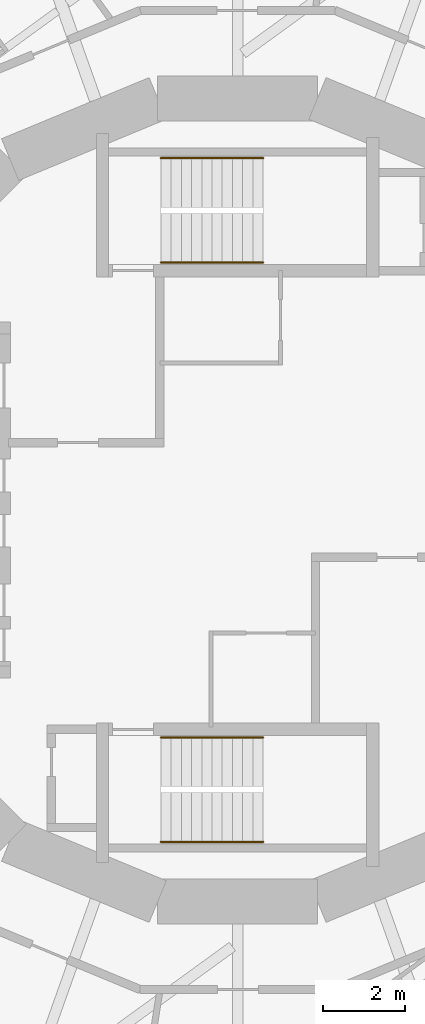
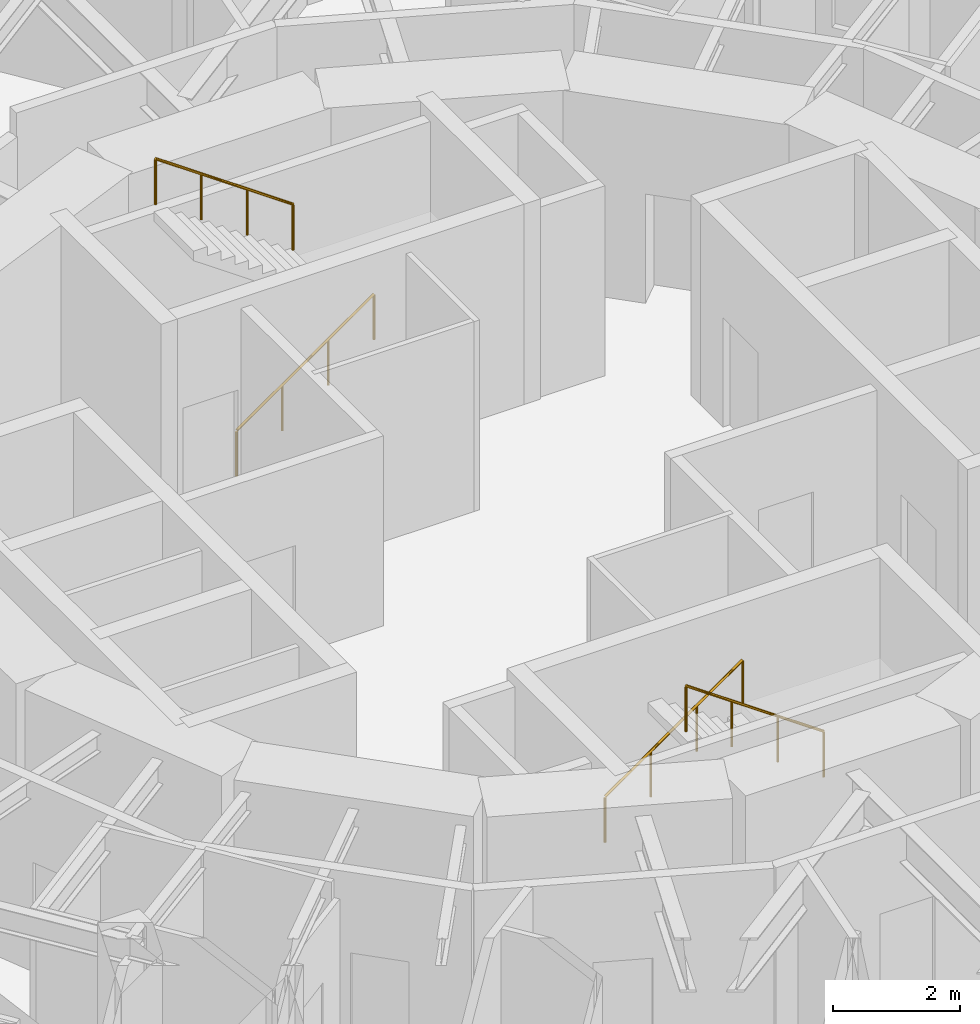
# One storey, part 9 of 9: 4 railings.
"""IFC4 building model written with IfcOpenShell, lengths in metres."""

from ifc_helpers import new_model, si_unit, direction, frame, origin, origin_2d, place, context, subcontext, project, spatial, circle, extrude, material, type_object, element, save


model = new_model("IFC4")

# Units and contexts
model_context = context("Model", 3, precision=1e-05, world=origin(), true_north=direction((0.0, 1.0)))
body_context = subcontext(model_context, "Body", "Model", "MODEL_VIEW")
ifc_project = project(units=[si_unit("LENGTHUNIT", "METRE"), si_unit("AREAUNIT", "SQUARE_METRE"), si_unit("VOLUMEUNIT", "CUBIC_METRE"), si_unit("PLANEANGLEUNIT", "RADIAN"), si_unit("MASSUNIT", "GRAM", prefix="KILO")], contexts=[model_context])

# Site, building, storey
site_placement = place(None, origin())
site = spatial("IfcSite", under=ifc_project, at=site_placement, CompositionType="ELEMENT")
building_placement = place(site_placement, origin())
building = spatial("IfcBuilding", under=site, at=building_placement, Name="Nakasero Lantern House", CompositionType="ELEMENT")
storey_placement = place(building_placement, frame((0.0, 0.0, 271.449951171875)))
storey = spatial("IfcBuildingStorey", under=building, at=storey_placement, Name="L66", CompositionType="ELEMENT", Elevation=271.449951171875)

# Railings
ifc_material = material(Name="Stainless steel 316", Category="steel")
railing_type = type_object("IfcRailingType", Name="Stair handrail 900", PredefinedType="HANDRAIL", material=ifc_material)
railing_1_placement = place(storey_placement, frame((-1.875, 5.800048828125, 0.175048828125)))
element("IfcRailing", 1, at=railing_1_placement, inside=storey, type_object=railing_type, Name="Handrail ST1 L66 flight 1", PredefinedType="HANDRAIL", context=body_context, shape_type="SweptSolid", body=[
    extrude(circle(Radius=0.02392578125, at=origin_2d()), frame((0.0, 0.0, 0.8759765625), z_axis=(0.819231920519, 0.0, 0.573462344363), x_axis=(0.0, 1.0, 0.0)), (0.0, 0.0, 1.0), 3.0517578125),
    extrude(circle(Radius=0.02099609375, at=origin_2d()), origin(), (0.0, 0.0, 1.0), 0.851806640625),
    extrude(circle(Radius=0.02099609375, at=origin_2d()), frame((0.833251953125, 0.0, 0.583251953125)), (0.0, 0.0, 1.0), 0.851806640625),
    extrude(circle(Radius=0.02099609375, at=origin_2d()), frame((1.666748046875, 0.0, 1.166748046875)), (0.0, 0.0, 1.0), 0.851806640625),
    extrude(circle(Radius=0.02099609375, at=origin_2d()), frame((2.5, 0.0, 1.75)), (0.0, 0.0, 1.0), 0.851806640625),
])
railing_2_placement = place(storey_placement, frame((0.625, 8.35009765625, 2.10009765625)))
element("IfcRailing", 2, at=railing_2_placement, inside=storey, type_object=railing_type, Name="Handrail ST1 L66 flight 2", PredefinedType="HANDRAIL", context=body_context, shape_type="SweptSolid", body=[
    extrude(circle(Radius=0.02392578125, at=origin_2d()), frame((0.0, 0.0, 0.8759765625), z_axis=(-0.819231920519, 0.0, 0.573462344363), x_axis=(0.0, -1.0, 0.0)), (0.0, 0.0, 1.0), 3.0517578125),
    extrude(circle(Radius=0.02099609375, at=origin_2d()), origin(), (0.0, 0.0, 1.0), 0.851806640625),
    extrude(circle(Radius=0.02099609375, at=origin_2d()), frame((-0.833251953125, 0.0, 0.583251953125)), (0.0, 0.0, 1.0), 0.851806640625),
    extrude(circle(Radius=0.02099609375, at=origin_2d()), frame((-1.666748046875, 0.0, 1.166748046875)), (0.0, 0.0, 1.0), 0.851806640625),
    extrude(circle(Radius=0.02099609375, at=origin_2d()), frame((-2.5, 0.0, 1.75)), (0.0, 0.0, 1.0), 0.851806640625),
])
railing_3_placement = place(storey_placement, frame((-1.875, -5.800048828125, 0.175048828125)))
element("IfcRailing", 3, at=railing_3_placement, inside=storey, type_object=railing_type, Name="Handrail ST2 L66 flight 1", PredefinedType="HANDRAIL", context=body_context, shape_type="SweptSolid", body=[
    extrude(circle(Radius=0.02392578125, at=origin_2d()), frame((0.0, 0.0, 0.8759765625), z_axis=(0.819231920519, 0.0, 0.573462344363), x_axis=(0.0, 1.0, 0.0)), (0.0, 0.0, 1.0), 3.0517578125),
    extrude(circle(Radius=0.02099609375, at=origin_2d()), origin(), (0.0, 0.0, 1.0), 0.851806640625),
    extrude(circle(Radius=0.02099609375, at=origin_2d()), frame((0.833251953125, 0.0, 0.583251953125)), (0.0, 0.0, 1.0), 0.851806640625),
    extrude(circle(Radius=0.02099609375, at=origin_2d()), frame((1.666748046875, 0.0, 1.166748046875)), (0.0, 0.0, 1.0), 0.851806640625),
    extrude(circle(Radius=0.02099609375, at=origin_2d()), frame((2.5, 0.0, 1.75)), (0.0, 0.0, 1.0), 0.851806640625),
])
railing_4_placement = place(storey_placement, frame((0.625, -8.35009765625, 2.10009765625)))
element("IfcRailing", 4, at=railing_4_placement, inside=storey, type_object=railing_type, Name="Handrail ST2 L66 flight 2", PredefinedType="HANDRAIL", context=body_context, shape_type="SweptSolid", body=[
    extrude(circle(Radius=0.02392578125, at=origin_2d()), frame((0.0, 0.0, 0.8759765625), z_axis=(-0.819231920519, 0.0, 0.573462344363), x_axis=(0.0, -1.0, 0.0)), (0.0, 0.0, 1.0), 3.0517578125),
    extrude(circle(Radius=0.02099609375, at=origin_2d()), origin(), (0.0, 0.0, 1.0), 0.851806640625),
    extrude(circle(Radius=0.02099609375, at=origin_2d()), frame((-0.833251953125, 0.0, 0.583251953125)), (0.0, 0.0, 1.0), 0.851806640625),
    extrude(circle(Radius=0.02099609375, at=origin_2d()), frame((-1.666748046875, 0.0, 1.166748046875)), (0.0, 0.0, 1.0), 0.851806640625),
    extrude(circle(Radius=0.02099609375, at=origin_2d()), frame((-2.5, 0.0, 1.75)), (0.0, 0.0, 1.0), 0.851806640625),
])

save(model, "model.ifc")
